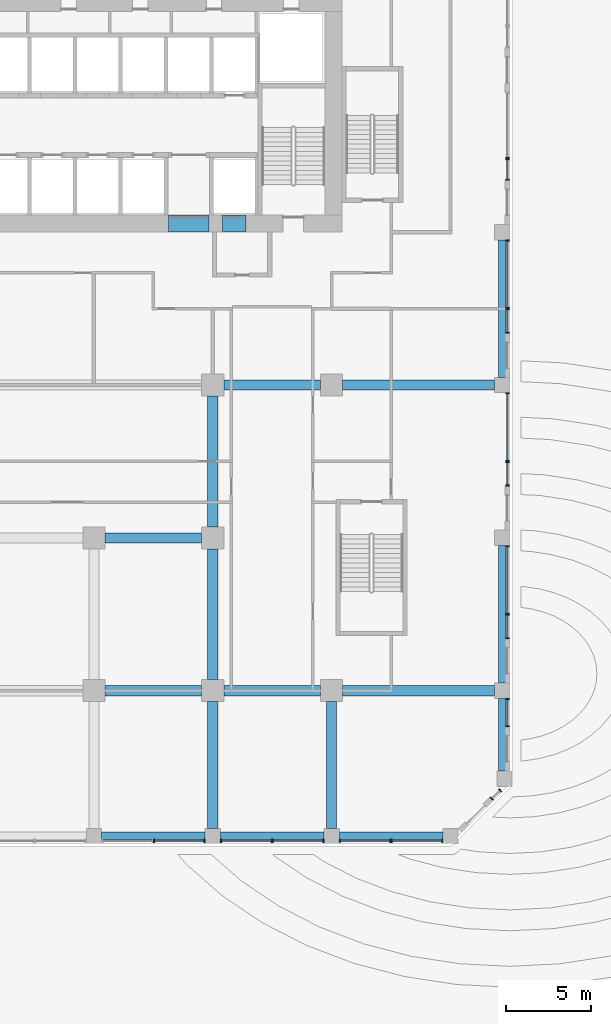
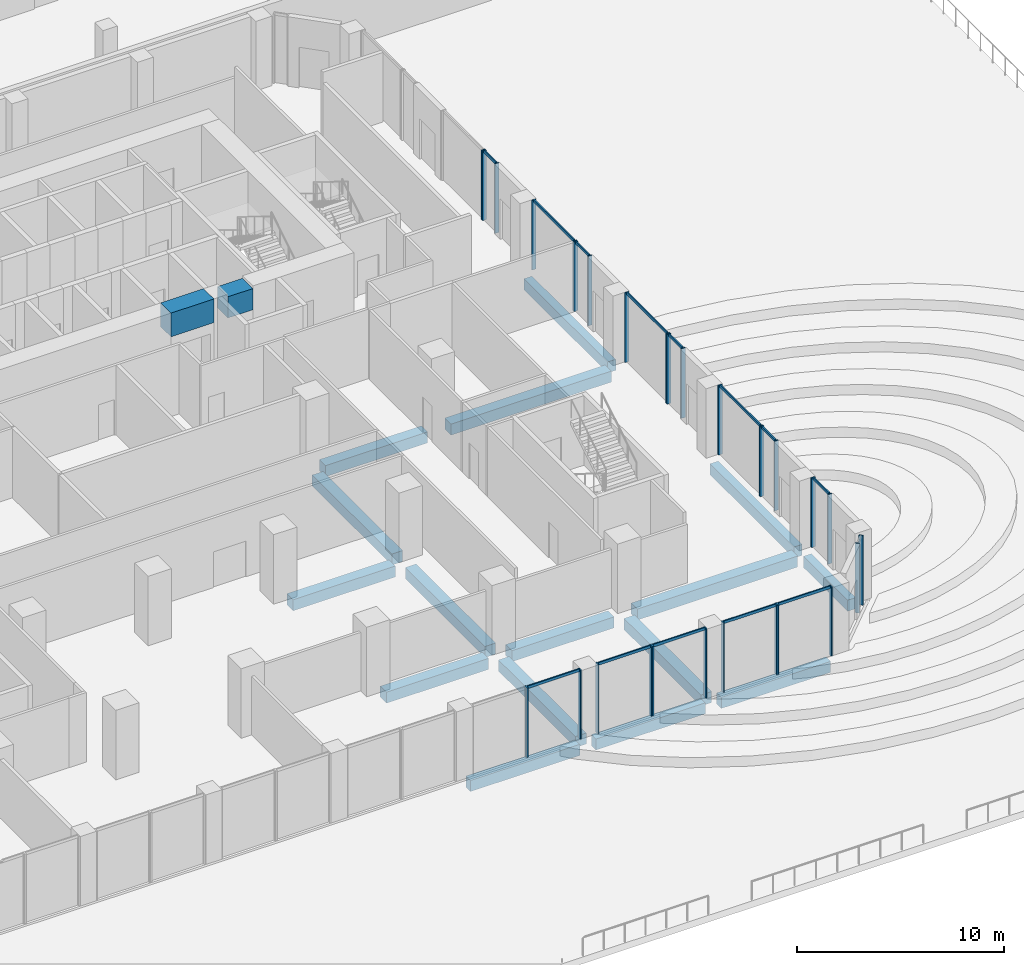
# One storey, part 5 of 38: 42 members, 18 beams, 15 elements without a shape of their own.
"""IFC4 building model written with IfcOpenShell, lengths in metres."""

from ifc_helpers import new_model, si_unit, direction, frame, origin, origin_2d, place, context, subcontext, project, spatial, rectangle, extrude, source, transform, mapped, material, material_profile, profile_set, type_object, element, aggregate, save


model = new_model("IFC4")

# Units and contexts
model_context = context("Model", 3, precision=1e-05, world=origin(), true_north=direction((0.0, 1.0)))
body_context = subcontext(model_context, "Body", "Model", "MODEL_VIEW")
ifc_project = project(units=[si_unit("LENGTHUNIT", "METRE"), si_unit("AREAUNIT", "SQUARE_METRE"), si_unit("VOLUMEUNIT", "CUBIC_METRE"), si_unit("PLANEANGLEUNIT", "RADIAN"), si_unit("MASSUNIT", "GRAM", prefix="KILO")], contexts=[model_context])

# Site, building, storey
site_placement = place(None, origin())
site = spatial("IfcSite", under=ifc_project, at=site_placement, CompositionType="ELEMENT")
building_placement = place(site_placement, origin())
building = spatial("IfcBuilding", under=site, at=building_placement, Name="Kilnfold Tower and Market Hall", CompositionType="ELEMENT")
storey_placement = place(building_placement, frame((0.0, 0.0, 9.0)))
storey = spatial("IfcBuildingStorey", under=building, at=storey_placement, Name="L01", CompositionType="ELEMENT", Elevation=9.0)

# Beams
ifc_material_1 = material(Name="Concrete C80", Category="concrete")
ifc_material_profile_1 = material_profile(ifc_material_1, rectangle(XDim=1.0, YDim=1.25, at=origin_2d()), Name="RC 1000x1250")
ifc_profile_set_1 = profile_set([ifc_material_profile_1], Name="Concrete C80")
beam_type_1 = type_object("IfcBeamType", Name="COUPLING BEAM 1000X1250 C80", PredefinedType="BEAM", material=ifc_profile_set_1)
shared_shape_1 = source(origin(), body_context, "Body", "SweptSolid", [
    extrude(rectangle(XDim=1.0, YDim=1.25, at=origin_2d()), origin(), (0.0, 0.0, 1.0), 1.39990234375),
])
beam_1_placement = place(storey_placement, frame((11.070068359375, 8.5, 3.324951171875), z_axis=(1.0, 0.0, 0.0), x_axis=(0.0, 1.0, 0.0)))
element("IfcBeam", 1, at=beam_1_placement, inside=storey, type_object=beam_type_1, Name="Coupling beam CB1250-80-CORE.45", PredefinedType="BEAM", context=body_context, shape_type="MappedRepresentation", body=[
    mapped(shared_shape_1, transform((0.0, 0.0, 0.0))),
])
ifc_material_2 = material(Name="Concrete C80", Category="concrete")
ifc_material_profile_2 = material_profile(ifc_material_2, rectangle(XDim=1.0, YDim=1.39990234375, at=origin_2d()), Name="RC 1000x1400")
ifc_profile_set_2 = profile_set([ifc_material_profile_2], Name="Concrete C80")
beam_type_2 = type_object("IfcBeamType", Name="COUPLING BEAM 1000X1400 C80", PredefinedType="BEAM", material=ifc_profile_set_2)
shared_shape_2 = source(origin(), body_context, "Body", "SweptSolid", [
    extrude(rectangle(XDim=1.0, YDim=1.39990234375, at=origin_2d()), origin(), (0.0, 0.0, 1.0), 2.400146484375),
])
beam_2_placement = place(storey_placement, frame((7.889892578125, 8.5, 3.39990234375), z_axis=(1.0, 0.0, 0.0), x_axis=(0.0, 1.0, 0.0)))
element("IfcBeam", 2, at=beam_2_placement, inside=storey, type_object=beam_type_2, Name="Coupling beam CB1400-80-CORE.44", PredefinedType="BEAM", context=body_context, shape_type="MappedRepresentation", body=[
    mapped(shared_shape_2, transform((0.0, 0.0, 0.0))),
])
ifc_material_3 = material(Name="Concrete C45", Category="concrete")
ifc_material_profile_3 = material_profile(ifc_material_3, rectangle(XDim=0.449951171875, YDim=0.64990234375, at=origin_2d()), Name="RC 450x650")
ifc_profile_set_3 = profile_set([ifc_material_profile_3], Name="Concrete C45")
beam_type_3 = type_object("IfcBeamType", Name="EDGE BEAM 450X650 C45", PredefinedType="BEAM", material=ifc_profile_set_3)
shared_shape_3 = source(origin(), body_context, "Body", "SweptSolid", [
    extrude(rectangle(XDim=0.449951171875, YDim=0.64990234375, at=origin_2d()), origin(), (0.0, 0.0, 1.0), 6.10009765625),
])
for number, where, z_axis, x_axis, name in (
    (3, (3.949951171875, -27.550048828125, -0.72509765625), (1.0, 0.0, 0.0), (0.0, 1.0, 0.0), "Beam EB650-B1.4"),
    (4, (10.949951171875, -27.550048828125, -0.72509765625), (1.0, 0.0, 0.0), (0.0, 1.0, 0.0), "Beam EB650-B1.5"),
    (5, (17.949951171875, -27.550048828125, -0.72509765625), (1.0, 0.0, 0.0), (0.0, 1.0, 0.0), "Beam EB650-B1.6"),
):
    element("IfcBeam", number, at=place(storey_placement, frame(where, z_axis=z_axis, x_axis=x_axis)), inside=storey, type_object=beam_type_3, Name=name, PredefinedType="BEAM", context=body_context, shape_type="MappedRepresentation", body=[
        mapped(shared_shape_3, transform((0.0, 0.0, 0.0))),
    ])
ifc_material_4 = material(Name="Concrete C45", Category="concrete")
ifc_material_profile_4 = material_profile(ifc_material_4, rectangle(XDim=0.60009765625, YDim=0.64990234375, at=origin_2d()), Name="RC 600x650")
ifc_profile_set_4 = profile_set([ifc_material_profile_4], Name="Concrete C45")
beam_type_4 = type_object("IfcBeamType", Name="BEAM 600X650 C45", PredefinedType="BEAM", material=ifc_profile_set_4)
shared_shape_4 = source(origin(), body_context, "Body", "SweptSolid", [
    extrude(rectangle(XDim=0.60009765625, YDim=0.64990234375, at=origin_2d()), origin(), (0.0, 0.0, 1.0), 8.9501953125),
])
for number, where, z_axis, x_axis, name in (
    (6, (18.14990234375, -19.0, -0.72509765625), (1.0, 0.0, 0.0), (0.0, 1.0, 0.0), "Beam BB650-B1.12"),
    (7, (18.14990234375, -1.0, -0.72509765625), (1.0, 0.0, 0.0), (0.0, 1.0, 0.0), "Beam BB650-B1.20"),
):
    element("IfcBeam", number, at=place(storey_placement, frame(where, z_axis=z_axis, x_axis=x_axis)), inside=storey, type_object=beam_type_4, Name=name, PredefinedType="BEAM", context=body_context, shape_type="MappedRepresentation", body=[
        mapped(shared_shape_4, transform((0.0, 0.0, 0.0))),
    ])
shared_shape_5 = source(origin(), body_context, "Body", "SweptSolid", [
    extrude(rectangle(XDim=0.60009765625, YDim=0.64990234375, at=origin_2d()), origin(), (0.0, 0.0, 1.0), 5.7001953125),
])
for number, where, z_axis, x_axis, name in (
    (8, (4.14990234375, -19.0, -0.72509765625), (1.0, 0.0, 0.0), (0.0, 1.0, 0.0), "Beam BB650-B1.10"),
    (9, (11.14990234375, -19.0, -0.72509765625), (1.0, 0.0, 0.0), (0.0, 1.0, 0.0), "Beam BB650-B1.11"),
    (10, (4.14990234375, -10.0, -0.72509765625), (1.0, 0.0, 0.0), (0.0, 1.0, 0.0), "Beam BB650-B1.15"),
    (11, (11.14990234375, -1.0, -0.72509765625), (1.0, 0.0, 0.0), (0.0, 1.0, 0.0), "Beam BB650-B1.19"),
):
    element("IfcBeam", number, at=place(storey_placement, frame(where, z_axis=z_axis, x_axis=x_axis)), inside=storey, type_object=beam_type_4, Name=name, PredefinedType="BEAM", context=body_context, shape_type="MappedRepresentation", body=[
        mapped(shared_shape_5, transform((0.0, 0.0, 0.0))),
    ])
shared_shape_6 = source(origin(), body_context, "Body", "SweptSolid", [
    extrude(rectangle(XDim=0.449951171875, YDim=0.64990234375, at=origin_2d()), origin(), (0.0, 0.0, 1.0), 8.10009765625),
])
for number, where, z_axis, x_axis, name in (
    (12, (27.550048828125, -18.550048828125, -0.72509765625), (0.0, 1.0, 0.0), (-1.0, 0.0, 0.0), "Beam EB650-B1.52"),
    (13, (27.550048828125, -0.550048828125, -0.72509765625), (0.0, 1.0, 0.0), (-1.0, 0.0, 0.0), "Beam EB650-B1.53"),
):
    element("IfcBeam", number, at=place(storey_placement, frame(where, z_axis=z_axis, x_axis=x_axis)), inside=storey, type_object=beam_type_3, Name=name, PredefinedType="BEAM", context=body_context, shape_type="MappedRepresentation", body=[
        mapped(shared_shape_6, transform((0.0, 0.0, 0.0))),
    ])
shared_shape_7 = source(origin(), body_context, "Body", "SweptSolid", [
    extrude(rectangle(XDim=0.60009765625, YDim=0.64990234375, at=origin_2d()), origin(), (0.0, 0.0, 1.0), 7.4501953125),
])
for number, where, z_axis, x_axis, name in (
    (14, (10.5, -27.10009765625, -0.72509765625), (0.0, 1.0, 0.0), (-1.0, 0.0, 0.0), "Beam BB650-B1.47"),
    (15, (17.5, -27.10009765625, -0.72509765625), (0.0, 1.0, 0.0), (-1.0, 0.0, 0.0), "Beam BB650-B1.50"),
):
    element("IfcBeam", number, at=place(storey_placement, frame(where, z_axis=z_axis, x_axis=x_axis)), inside=storey, type_object=beam_type_4, Name=name, PredefinedType="BEAM", context=body_context, shape_type="MappedRepresentation", body=[
        mapped(shared_shape_7, transform((0.0, 0.0, 0.0))),
    ])
shared_shape_8 = source(origin(), body_context, "Body", "SweptSolid", [
    extrude(rectangle(XDim=0.60009765625, YDim=0.64990234375, at=origin_2d()), origin(), (0.0, 0.0, 1.0), 7.7001953125),
])
for number, where, z_axis, x_axis, name in (
    (16, (10.5, -18.35009765625, -0.72509765625), (0.0, 1.0, 0.0), (-1.0, 0.0, 0.0), "Beam BB650-B1.48"),
    (17, (10.5, -9.35009765625, -0.72509765625), (0.0, 1.0, 0.0), (-1.0, 0.0, 0.0), "Beam BB650-B1.49"),
):
    element("IfcBeam", number, at=place(storey_placement, frame(where, z_axis=z_axis, x_axis=x_axis)), inside=storey, type_object=beam_type_4, Name=name, PredefinedType="BEAM", context=body_context, shape_type="MappedRepresentation", body=[
        mapped(shared_shape_8, transform((0.0, 0.0, 0.0))),
    ])
shared_shape_9 = source(origin(), body_context, "Body", "SweptSolid", [
    extrude(rectangle(XDim=0.449951171875, YDim=0.64990234375, at=origin_2d()), origin(), (0.0, 0.0, 1.0), 4.28173828125),
])
beam_3_placement = place(storey_placement, frame((27.550048828125, -23.731689453125, -0.72509765625), z_axis=(0.0, 1.0, 0.0), x_axis=(-1.0, 0.0, 0.0)))
element("IfcBeam", 18, at=beam_3_placement, inside=storey, type_object=beam_type_3, Name="Beam EB650-B1.51", PredefinedType="BEAM", context=body_context, shape_type="MappedRepresentation", body=[
    mapped(shared_shape_9, transform((0.0, 0.0, 0.0))),
])

# Curtain wall, members
ifc_material_5 = material(Name="Aluminium and double glazing", Category="aluminium")
curtain_wall_type = type_object("IfcCurtainWallType", Name="CW BASE PODIUM GLAZING", PredefinedType="NOTDEFINED", material=ifc_material_5)
curtain_wall_1_placement = place(storey_placement, origin())
curtain_wall_1 = element("IfcCurtainWall", 19, at=curtain_wall_1_placement, inside=storey, type_object=curtain_wall_type, Name="Curtain wall CW4 L01 S", PredefinedType="NOTDEFINED")
ifc_material_6 = material(Name="Aluminium", Category="aluminium")
ifc_material_profile_5 = material_profile(ifc_material_6, rectangle(XDim=0.070068359375, YDim=0.219970703125, at=origin_2d()), Name="MULLION 70x220")
ifc_profile_set_5 = profile_set([ifc_material_profile_5], Name="Aluminium")
member_type_1 = type_object("IfcMemberType", Name="MULLION 70X220", PredefinedType="MULLION", material=ifc_profile_set_5)
shared_shape_10 = source(origin(), body_context, "Body", "SweptSolid", [
    extrude(rectangle(XDim=0.070068359375, YDim=0.219970703125, at=origin_2d()), origin(), (0.0, 0.0, 1.0), 4.10009765625),
])
member_1_placement = place(storey_placement, frame((7.034912109375, -27.85009765625, 0.0), z_axis=(0.0, 0.0, 1.0), x_axis=(1.0, 0.0, 0.0)))
member_1 = element("IfcMember", 20, at=member_1_placement, type_object=member_type_1, Name="CW4 mullion 1", PredefinedType="MULLION", context=body_context, shape_type="MappedRepresentation", body=[
    mapped(shared_shape_10, transform((0.0, 0.0, 0.0))),
])
member_2_placement = place(storey_placement, frame((10.014892578125, -27.85009765625, 0.0), z_axis=(0.0, 0.0, 1.0), x_axis=(1.0, 0.0, 0.0)))
member_2 = element("IfcMember", 21, at=member_2_placement, type_object=member_type_1, Name="CW4 mullion 2", PredefinedType="MULLION", context=body_context, shape_type="MappedRepresentation", body=[
    mapped(shared_shape_10, transform((0.0, 0.0, 0.0))),
])

curtain_wall_2_placement = place(storey_placement, origin())
curtain_wall_2 = element("IfcCurtainWall", 22, at=curtain_wall_2_placement, inside=storey, type_object=curtain_wall_type, Name="Curtain wall CW4 L01 S", PredefinedType="NOTDEFINED")
member_3_placement = place(storey_placement, frame((10.985107421875, -27.85009765625, 0.0), z_axis=(0.0, 0.0, 1.0), x_axis=(1.0, 0.0, 0.0)))
member_3 = element("IfcMember", 23, at=member_3_placement, type_object=member_type_1, Name="CW4 mullion 1", PredefinedType="MULLION", context=body_context, shape_type="MappedRepresentation", body=[
    mapped(shared_shape_10, transform((0.0, 0.0, 0.0))),
])
member_4_placement = place(storey_placement, frame((13.965087890625, -27.85009765625, 0.0), z_axis=(0.0, 0.0, 1.0), x_axis=(1.0, 0.0, 0.0)))
member_4 = element("IfcMember", 24, at=member_4_placement, type_object=member_type_1, Name="CW4 mullion 2", PredefinedType="MULLION", context=body_context, shape_type="MappedRepresentation", body=[
    mapped(shared_shape_10, transform((0.0, 0.0, 0.0))),
])

curtain_wall_3_placement = place(storey_placement, origin())
curtain_wall_3 = element("IfcCurtainWall", 25, at=curtain_wall_3_placement, inside=storey, type_object=curtain_wall_type, Name="Curtain wall CW4 L01 S", PredefinedType="NOTDEFINED")
member_5_placement = place(storey_placement, frame((14.034912109375, -27.85009765625, 0.0), z_axis=(0.0, 0.0, 1.0), x_axis=(1.0, 0.0, 0.0)))
member_5 = element("IfcMember", 26, at=member_5_placement, type_object=member_type_1, Name="CW4 mullion 1", PredefinedType="MULLION", context=body_context, shape_type="MappedRepresentation", body=[
    mapped(shared_shape_10, transform((0.0, 0.0, 0.0))),
])
member_6_placement = place(storey_placement, frame((17.014892578125, -27.85009765625, 0.0), z_axis=(0.0, 0.0, 1.0), x_axis=(1.0, 0.0, 0.0)))
member_6 = element("IfcMember", 27, at=member_6_placement, type_object=member_type_1, Name="CW4 mullion 2", PredefinedType="MULLION", context=body_context, shape_type="MappedRepresentation", body=[
    mapped(shared_shape_10, transform((0.0, 0.0, 0.0))),
])

curtain_wall_4_placement = place(storey_placement, origin())
curtain_wall_4 = element("IfcCurtainWall", 28, at=curtain_wall_4_placement, inside=storey, type_object=curtain_wall_type, Name="Curtain wall CW4 L01 S", PredefinedType="NOTDEFINED")
member_7_placement = place(storey_placement, frame((17.985107421875, -27.85009765625, 0.0), z_axis=(0.0, 0.0, 1.0), x_axis=(1.0, 0.0, 0.0)))
member_7 = element("IfcMember", 29, at=member_7_placement, type_object=member_type_1, Name="CW4 mullion 1", PredefinedType="MULLION", context=body_context, shape_type="MappedRepresentation", body=[
    mapped(shared_shape_10, transform((0.0, 0.0, 0.0))),
])
member_8_placement = place(storey_placement, frame((20.965087890625, -27.85009765625, 0.0), z_axis=(0.0, 0.0, 1.0), x_axis=(1.0, 0.0, 0.0)))
member_8 = element("IfcMember", 30, at=member_8_placement, type_object=member_type_1, Name="CW4 mullion 2", PredefinedType="MULLION", context=body_context, shape_type="MappedRepresentation", body=[
    mapped(shared_shape_10, transform((0.0, 0.0, 0.0))),
])

curtain_wall_5_placement = place(storey_placement, origin())
curtain_wall_5 = element("IfcCurtainWall", 31, at=curtain_wall_5_placement, inside=storey, type_object=curtain_wall_type, Name="Curtain wall CW4 L01 S", PredefinedType="NOTDEFINED")
member_9_placement = place(storey_placement, frame((21.034912109375, -27.85009765625, 0.0), z_axis=(0.0, 0.0, 1.0), x_axis=(1.0, 0.0, 0.0)))
member_9 = element("IfcMember", 32, at=member_9_placement, type_object=member_type_1, Name="CW4 mullion 1", PredefinedType="MULLION", context=body_context, shape_type="MappedRepresentation", body=[
    mapped(shared_shape_10, transform((0.0, 0.0, 0.0))),
])
member_10_placement = place(storey_placement, frame((24.014892578125, -27.85009765625, 0.0), z_axis=(0.0, 0.0, 1.0), x_axis=(1.0, 0.0, 0.0)))
member_10 = element("IfcMember", 33, at=member_10_placement, type_object=member_type_1, Name="CW4 mullion 2", PredefinedType="MULLION", context=body_context, shape_type="MappedRepresentation", body=[
    mapped(shared_shape_10, transform((0.0, 0.0, 0.0))),
])

curtain_wall_6_placement = place(storey_placement, origin())
curtain_wall_6 = element("IfcCurtainWall", 34, at=curtain_wall_6_placement, inside=storey, type_object=curtain_wall_type, Name="Curtain wall CW4 L01 SE", PredefinedType="NOTDEFINED")
member_11_placement = place(storey_placement, frame((26.93212890625, -25.355712890625, 0.0), z_axis=(0.0, 0.0, 1.0), x_axis=(0.707106781187, 0.707106781187, 0.0)))
member_11 = element("IfcMember", 35, at=member_11_placement, type_object=member_type_1, Name="CW4 mullion 1", PredefinedType="MULLION", context=body_context, shape_type="MappedRepresentation", body=[
    mapped(shared_shape_10, transform((0.0, 0.0, 0.0))),
])
member_12_placement = place(storey_placement, frame((27.419189453125, -24.86865234375, 0.0), z_axis=(0.0, 0.0, 1.0), x_axis=(0.707106781187, 0.707106781187, 0.0)))
member_12 = element("IfcMember", 36, at=member_12_placement, type_object=member_type_1, Name="CW4 mullion 2", PredefinedType="MULLION", context=body_context, shape_type="MappedRepresentation", body=[
    mapped(shared_shape_10, transform((0.0, 0.0, 0.0))),
])
aggregate(curtain_wall_6, [member_11, member_12])

curtain_wall_7_placement = place(storey_placement, origin())
curtain_wall_7 = element("IfcCurtainWall", 37, at=curtain_wall_7_placement, inside=storey, type_object=curtain_wall_type, Name="Curtain wall CW4 L01 E", PredefinedType="NOTDEFINED")
member_13_placement = place(storey_placement, frame((27.85009765625, -21.0966796875, 0.0), z_axis=(0.0, 0.0, 1.0), x_axis=(0.0, 1.0, 0.0)))
member_13 = element("IfcMember", 38, at=member_13_placement, type_object=member_type_1, Name="CW4 mullion 1", PredefinedType="MULLION", context=body_context, shape_type="MappedRepresentation", body=[
    mapped(shared_shape_10, transform((0.0, 0.0, 0.0))),
])
member_14_placement = place(storey_placement, frame((27.85009765625, -19.485107421875, 0.0), z_axis=(0.0, 0.0, 1.0), x_axis=(0.0, 1.0, 0.0)))
member_14 = element("IfcMember", 39, at=member_14_placement, type_object=member_type_1, Name="CW4 mullion 2", PredefinedType="MULLION", context=body_context, shape_type="MappedRepresentation", body=[
    mapped(shared_shape_10, transform((0.0, 0.0, 0.0))),
])

curtain_wall_8_placement = place(storey_placement, origin())
curtain_wall_8 = element("IfcCurtainWall", 40, at=curtain_wall_8_placement, inside=storey, type_object=curtain_wall_type, Name="Curtain wall CW4 L01 E", PredefinedType="NOTDEFINED")
member_15_placement = place(storey_placement, frame((27.85009765625, -15.9150390625, 0.0), z_axis=(0.0, 0.0, 1.0), x_axis=(0.0, 1.0, 0.0)))
member_15 = element("IfcMember", 41, at=member_15_placement, type_object=member_type_1, Name="CW4 mullion 1", PredefinedType="MULLION", context=body_context, shape_type="MappedRepresentation", body=[
    mapped(shared_shape_10, transform((0.0, 0.0, 0.0))),
])
member_16_placement = place(storey_placement, frame((27.85009765625, -14.534912109375, 0.0), z_axis=(0.0, 0.0, 1.0), x_axis=(0.0, 1.0, 0.0)))
member_16 = element("IfcMember", 42, at=member_16_placement, type_object=member_type_1, Name="CW4 mullion 2", PredefinedType="MULLION", context=body_context, shape_type="MappedRepresentation", body=[
    mapped(shared_shape_10, transform((0.0, 0.0, 0.0))),
])

curtain_wall_9_placement = place(storey_placement, origin())
curtain_wall_9 = element("IfcCurtainWall", 43, at=curtain_wall_9_placement, inside=storey, type_object=curtain_wall_type, Name="Curtain wall CW4 L01 E", PredefinedType="NOTDEFINED")
member_17_placement = place(storey_placement, frame((27.85009765625, -14.465087890625, 0.0), z_axis=(0.0, 0.0, 1.0), x_axis=(0.0, 1.0, 0.0)))
member_17 = element("IfcMember", 44, at=member_17_placement, type_object=member_type_1, Name="CW4 mullion 1", PredefinedType="MULLION", context=body_context, shape_type="MappedRepresentation", body=[
    mapped(shared_shape_10, transform((0.0, 0.0, 0.0))),
])
member_18_placement = place(storey_placement, frame((27.85009765625, -10.485107421875, 0.0), z_axis=(0.0, 0.0, 1.0), x_axis=(0.0, 1.0, 0.0)))
member_18 = element("IfcMember", 45, at=member_18_placement, type_object=member_type_1, Name="CW4 mullion 2", PredefinedType="MULLION", context=body_context, shape_type="MappedRepresentation", body=[
    mapped(shared_shape_10, transform((0.0, 0.0, 0.0))),
])

curtain_wall_10_placement = place(storey_placement, origin())
curtain_wall_10 = element("IfcCurtainWall", 46, at=curtain_wall_10_placement, inside=storey, type_object=curtain_wall_type, Name="Curtain wall CW4 L01 E", PredefinedType="NOTDEFINED")
member_19_placement = place(storey_placement, frame((27.85009765625, -6.9150390625, 0.0), z_axis=(0.0, 0.0, 1.0), x_axis=(0.0, 1.0, 0.0)))
member_19 = element("IfcMember", 47, at=member_19_placement, type_object=member_type_1, Name="CW4 mullion 1", PredefinedType="MULLION", context=body_context, shape_type="MappedRepresentation", body=[
    mapped(shared_shape_10, transform((0.0, 0.0, 0.0))),
])
member_20_placement = place(storey_placement, frame((27.85009765625, -5.534912109375, 0.0), z_axis=(0.0, 0.0, 1.0), x_axis=(0.0, 1.0, 0.0)))
member_20 = element("IfcMember", 48, at=member_20_placement, type_object=member_type_1, Name="CW4 mullion 2", PredefinedType="MULLION", context=body_context, shape_type="MappedRepresentation", body=[
    mapped(shared_shape_10, transform((0.0, 0.0, 0.0))),
])

curtain_wall_11_placement = place(storey_placement, origin())
curtain_wall_11 = element("IfcCurtainWall", 49, at=curtain_wall_11_placement, inside=storey, type_object=curtain_wall_type, Name="Curtain wall CW4 L01 E", PredefinedType="NOTDEFINED")
member_21_placement = place(storey_placement, frame((27.85009765625, -5.465087890625, 0.0), z_axis=(0.0, 0.0, 1.0), x_axis=(0.0, 1.0, 0.0)))
member_21 = element("IfcMember", 50, at=member_21_placement, type_object=member_type_1, Name="CW4 mullion 1", PredefinedType="MULLION", context=body_context, shape_type="MappedRepresentation", body=[
    mapped(shared_shape_10, transform((0.0, 0.0, 0.0))),
])
member_22_placement = place(storey_placement, frame((27.85009765625, -1.485107421875, 0.0), z_axis=(0.0, 0.0, 1.0), x_axis=(0.0, 1.0, 0.0)))
member_22 = element("IfcMember", 51, at=member_22_placement, type_object=member_type_1, Name="CW4 mullion 2", PredefinedType="MULLION", context=body_context, shape_type="MappedRepresentation", body=[
    mapped(shared_shape_10, transform((0.0, 0.0, 0.0))),
])

curtain_wall_12_placement = place(storey_placement, origin())
curtain_wall_12 = element("IfcCurtainWall", 52, at=curtain_wall_12_placement, inside=storey, type_object=curtain_wall_type, Name="Curtain wall CW4 L01 E", PredefinedType="NOTDEFINED")
member_23_placement = place(storey_placement, frame((27.85009765625, 2.0849609375, 0.0), z_axis=(0.0, 0.0, 1.0), x_axis=(0.0, 1.0, 0.0)))
member_23 = element("IfcMember", 53, at=member_23_placement, type_object=member_type_1, Name="CW4 mullion 1", PredefinedType="MULLION", context=body_context, shape_type="MappedRepresentation", body=[
    mapped(shared_shape_10, transform((0.0, 0.0, 0.0))),
])
member_24_placement = place(storey_placement, frame((27.85009765625, 3.465087890625, 0.0), z_axis=(0.0, 0.0, 1.0), x_axis=(0.0, 1.0, 0.0)))
member_24 = element("IfcMember", 54, at=member_24_placement, type_object=member_type_1, Name="CW4 mullion 2", PredefinedType="MULLION", context=body_context, shape_type="MappedRepresentation", body=[
    mapped(shared_shape_10, transform((0.0, 0.0, 0.0))),
])

curtain_wall_13_placement = place(storey_placement, origin())
curtain_wall_13 = element("IfcCurtainWall", 55, at=curtain_wall_13_placement, inside=storey, type_object=curtain_wall_type, Name="Curtain wall CW4 L01 E", PredefinedType="NOTDEFINED")
member_25_placement = place(storey_placement, frame((27.85009765625, 3.534912109375, 0.0), z_axis=(0.0, 0.0, 1.0), x_axis=(0.0, 1.0, 0.0)))
member_25 = element("IfcMember", 56, at=member_25_placement, type_object=member_type_1, Name="CW4 mullion 1", PredefinedType="MULLION", context=body_context, shape_type="MappedRepresentation", body=[
    mapped(shared_shape_10, transform((0.0, 0.0, 0.0))),
])
member_26_placement = place(storey_placement, frame((27.85009765625, 7.514892578125, 0.0), z_axis=(0.0, 0.0, 1.0), x_axis=(0.0, 1.0, 0.0)))
member_26 = element("IfcMember", 57, at=member_26_placement, type_object=member_type_1, Name="CW4 mullion 2", PredefinedType="MULLION", context=body_context, shape_type="MappedRepresentation", body=[
    mapped(shared_shape_10, transform((0.0, 0.0, 0.0))),
])

curtain_wall_14_placement = place(storey_placement, origin())
curtain_wall_14 = element("IfcCurtainWall", 58, at=curtain_wall_14_placement, inside=storey, type_object=curtain_wall_type, Name="Curtain wall CW4 L01 E", PredefinedType="NOTDEFINED")
member_27_placement = place(storey_placement, frame((27.85009765625, 11.0849609375, 0.0), z_axis=(0.0, 0.0, 1.0), x_axis=(0.0, 1.0, 0.0)))
member_27 = element("IfcMember", 59, at=member_27_placement, type_object=member_type_1, Name="CW4 mullion 1", PredefinedType="MULLION", context=body_context, shape_type="MappedRepresentation", body=[
    mapped(shared_shape_10, transform((0.0, 0.0, 0.0))),
])
member_28_placement = place(storey_placement, frame((27.85009765625, 12.31494140625, 0.0), z_axis=(0.0, 0.0, 1.0), x_axis=(0.0, 1.0, 0.0)))
member_28 = element("IfcMember", 60, at=member_28_placement, type_object=member_type_1, Name="CW4 mullion 2", PredefinedType="MULLION", context=body_context, shape_type="MappedRepresentation", body=[
    mapped(shared_shape_10, transform((0.0, 0.0, 0.0))),
])

# Curtain wall, member
curtain_wall_15_placement = place(storey_placement, origin())
curtain_wall_15 = element("IfcCurtainWall", 61, at=curtain_wall_15_placement, inside=storey, type_object=curtain_wall_type, Name="Curtain wall CW4 L01 E", PredefinedType="NOTDEFINED")
member_29_placement = place(storey_placement, frame((27.85009765625, 12.385009765625, 0.0), z_axis=(0.0, 0.0, 1.0), x_axis=(0.0, 1.0, 0.0)))
member_29 = element("IfcMember", 62, at=member_29_placement, type_object=member_type_1, Name="CW4 mullion 1", PredefinedType="MULLION", context=body_context, shape_type="MappedRepresentation", body=[
    mapped(shared_shape_10, transform((0.0, 0.0, 0.0))),
])
aggregate(curtain_wall_15, [member_29])

# Member
ifc_material_7 = material(Name="Aluminium", Category="aluminium")
ifc_material_profile_6 = material_profile(ifc_material_7, rectangle(XDim=0.070068359375, YDim=0.159912109375, at=origin_2d()), Name="TRANSOM 70x160")
ifc_profile_set_6 = profile_set([ifc_material_profile_6], Name="Aluminium")
member_type_2 = type_object("IfcMemberType", Name="TRANSOM 70X160", PredefinedType="USERDEFINED", material=ifc_profile_set_6)
shared_shape_11 = source(origin(), body_context, "Body", "SweptSolid", [
    extrude(rectangle(XDim=0.070068359375, YDim=0.159912109375, at=origin_2d()), origin(), (0.0, 0.0, 1.0), 2.909912109375),
])
member_30_placement = place(storey_placement, frame((7.070068359375, -27.85009765625, 4.06494140625), z_axis=(1.0, 0.0, 0.0), x_axis=(0.0, 1.0, 0.0)))
member_30 = element("IfcMember", 63, at=member_30_placement, type_object=member_type_2, Name="CW4 transom 1.2", ObjectType="TRANSOM", PredefinedType="USERDEFINED", context=body_context, shape_type="MappedRepresentation", body=[
    mapped(shared_shape_11, transform((0.0, 0.0, 0.0))),
])

aggregate(curtain_wall_1, [member_1, member_2, member_30])

member_31_placement = place(storey_placement, frame((11.02001953125, -27.85009765625, 4.06494140625), z_axis=(1.0, 0.0, 0.0), x_axis=(0.0, 1.0, 0.0)))
member_31 = element("IfcMember", 64, at=member_31_placement, type_object=member_type_2, Name="CW4 transom 1.2", ObjectType="TRANSOM", PredefinedType="USERDEFINED", context=body_context, shape_type="MappedRepresentation", body=[
    mapped(shared_shape_11, transform((0.0, 0.0, 0.0))),
])

aggregate(curtain_wall_2, [member_3, member_4, member_31])

member_32_placement = place(storey_placement, frame((14.070068359375, -27.85009765625, 4.06494140625), z_axis=(1.0, 0.0, 0.0), x_axis=(0.0, 1.0, 0.0)))
member_32 = element("IfcMember", 65, at=member_32_placement, type_object=member_type_2, Name="CW4 transom 1.2", ObjectType="TRANSOM", PredefinedType="USERDEFINED", context=body_context, shape_type="MappedRepresentation", body=[
    mapped(shared_shape_11, transform((0.0, 0.0, 0.0))),
])

aggregate(curtain_wall_3, [member_5, member_6, member_32])

member_33_placement = place(storey_placement, frame((18.02001953125, -27.85009765625, 4.06494140625), z_axis=(1.0, 0.0, 0.0), x_axis=(0.0, 1.0, 0.0)))
member_33 = element("IfcMember", 66, at=member_33_placement, type_object=member_type_2, Name="CW4 transom 1.2", ObjectType="TRANSOM", PredefinedType="USERDEFINED", context=body_context, shape_type="MappedRepresentation", body=[
    mapped(shared_shape_11, transform((0.0, 0.0, 0.0))),
])

aggregate(curtain_wall_4, [member_7, member_8, member_33])

member_34_placement = place(storey_placement, frame((21.070068359375, -27.85009765625, 4.06494140625), z_axis=(1.0, 0.0, 0.0), x_axis=(0.0, 1.0, 0.0)))
member_34 = element("IfcMember", 67, at=member_34_placement, type_object=member_type_2, Name="CW4 transom 1.2", ObjectType="TRANSOM", PredefinedType="USERDEFINED", context=body_context, shape_type="MappedRepresentation", body=[
    mapped(shared_shape_11, transform((0.0, 0.0, 0.0))),
])

aggregate(curtain_wall_5, [member_9, member_10, member_34])

shared_shape_12 = source(origin(), body_context, "Body", "SweptSolid", [
    extrude(rectangle(XDim=0.070068359375, YDim=0.159912109375, at=origin_2d()), origin(), (0.0, 0.0, 1.0), 1.541748046875),
])
member_35_placement = place(storey_placement, frame((27.85009765625, -21.061767578125, 4.06494140625), z_axis=(0.0, 1.0, 0.0), x_axis=(-1.0, 0.0, 0.0)))
member_35 = element("IfcMember", 68, at=member_35_placement, type_object=member_type_2, Name="CW4 transom 1.2", ObjectType="TRANSOM", PredefinedType="USERDEFINED", context=body_context, shape_type="MappedRepresentation", body=[
    mapped(shared_shape_12, transform((0.0, 0.0, 0.0))),
])

aggregate(curtain_wall_7, [member_13, member_14, member_35])

shared_shape_13 = source(origin(), body_context, "Body", "SweptSolid", [
    extrude(rectangle(XDim=0.070068359375, YDim=0.159912109375, at=origin_2d()), origin(), (0.0, 0.0, 1.0), 1.309814453125),
])
member_36_placement = place(storey_placement, frame((27.85009765625, -15.8798828125, 4.06494140625), z_axis=(0.0, 1.0, 0.0), x_axis=(-1.0, 0.0, 0.0)))
member_36 = element("IfcMember", 69, at=member_36_placement, type_object=member_type_2, Name="CW4 transom 1.2", ObjectType="TRANSOM", PredefinedType="USERDEFINED", context=body_context, shape_type="MappedRepresentation", body=[
    mapped(shared_shape_13, transform((0.0, 0.0, 0.0))),
])

aggregate(curtain_wall_8, [member_15, member_16, member_36])

member_37_placement = place(storey_placement, frame((27.85009765625, -6.8798828125, 4.06494140625), z_axis=(0.0, 1.0, 0.0), x_axis=(-1.0, 0.0, 0.0)))
member_37 = element("IfcMember", 70, at=member_37_placement, type_object=member_type_2, Name="CW4 transom 1.2", ObjectType="TRANSOM", PredefinedType="USERDEFINED", context=body_context, shape_type="MappedRepresentation", body=[
    mapped(shared_shape_13, transform((0.0, 0.0, 0.0))),
])

aggregate(curtain_wall_10, [member_19, member_20, member_37])

member_38_placement = place(storey_placement, frame((27.85009765625, 2.1201171875, 4.06494140625), z_axis=(0.0, 1.0, 0.0), x_axis=(-1.0, 0.0, 0.0)))
member_38 = element("IfcMember", 71, at=member_38_placement, type_object=member_type_2, Name="CW4 transom 1.2", ObjectType="TRANSOM", PredefinedType="USERDEFINED", context=body_context, shape_type="MappedRepresentation", body=[
    mapped(shared_shape_13, transform((0.0, 0.0, 0.0))),
])

aggregate(curtain_wall_12, [member_23, member_24, member_38])

shared_shape_14 = source(origin(), body_context, "Body", "SweptSolid", [
    extrude(rectangle(XDim=0.070068359375, YDim=0.159912109375, at=origin_2d()), origin(), (0.0, 0.0, 1.0), 3.909912109375),
])
member_39_placement = place(storey_placement, frame((27.85009765625, -14.429931640625, 4.06494140625), z_axis=(0.0, 1.0, 0.0), x_axis=(-1.0, 0.0, 0.0)))
member_39 = element("IfcMember", 72, at=member_39_placement, type_object=member_type_2, Name="CW4 transom 1.2", ObjectType="TRANSOM", PredefinedType="USERDEFINED", context=body_context, shape_type="MappedRepresentation", body=[
    mapped(shared_shape_14, transform((0.0, 0.0, 0.0))),
])

aggregate(curtain_wall_9, [member_17, member_18, member_39])

member_40_placement = place(storey_placement, frame((27.85009765625, -5.429931640625, 4.06494140625), z_axis=(0.0, 1.0, 0.0), x_axis=(-1.0, 0.0, 0.0)))
member_40 = element("IfcMember", 73, at=member_40_placement, type_object=member_type_2, Name="CW4 transom 1.2", ObjectType="TRANSOM", PredefinedType="USERDEFINED", context=body_context, shape_type="MappedRepresentation", body=[
    mapped(shared_shape_14, transform((0.0, 0.0, 0.0))),
])

aggregate(curtain_wall_11, [member_21, member_22, member_40])

member_41_placement = place(storey_placement, frame((27.85009765625, 3.570068359375, 4.06494140625), z_axis=(0.0, 1.0, 0.0), x_axis=(-1.0, 0.0, 0.0)))
member_41 = element("IfcMember", 74, at=member_41_placement, type_object=member_type_2, Name="CW4 transom 1.2", ObjectType="TRANSOM", PredefinedType="USERDEFINED", context=body_context, shape_type="MappedRepresentation", body=[
    mapped(shared_shape_14, transform((0.0, 0.0, 0.0))),
])

aggregate(curtain_wall_13, [member_25, member_26, member_41])

shared_shape_15 = source(origin(), body_context, "Body", "SweptSolid", [
    extrude(rectangle(XDim=0.070068359375, YDim=0.159912109375, at=origin_2d()), origin(), (0.0, 0.0, 1.0), 1.159912109375),
])
member_42_placement = place(storey_placement, frame((27.85009765625, 11.1201171875, 4.06494140625), z_axis=(0.0, 1.0, 0.0), x_axis=(-1.0, 0.0, 0.0)))
member_42 = element("IfcMember", 75, at=member_42_placement, type_object=member_type_2, Name="CW4 transom 1.2", ObjectType="TRANSOM", PredefinedType="USERDEFINED", context=body_context, shape_type="MappedRepresentation", body=[
    mapped(shared_shape_15, transform((0.0, 0.0, 0.0))),
])

aggregate(curtain_wall_14, [member_27, member_28, member_42])

save(model, "model.ifc")
